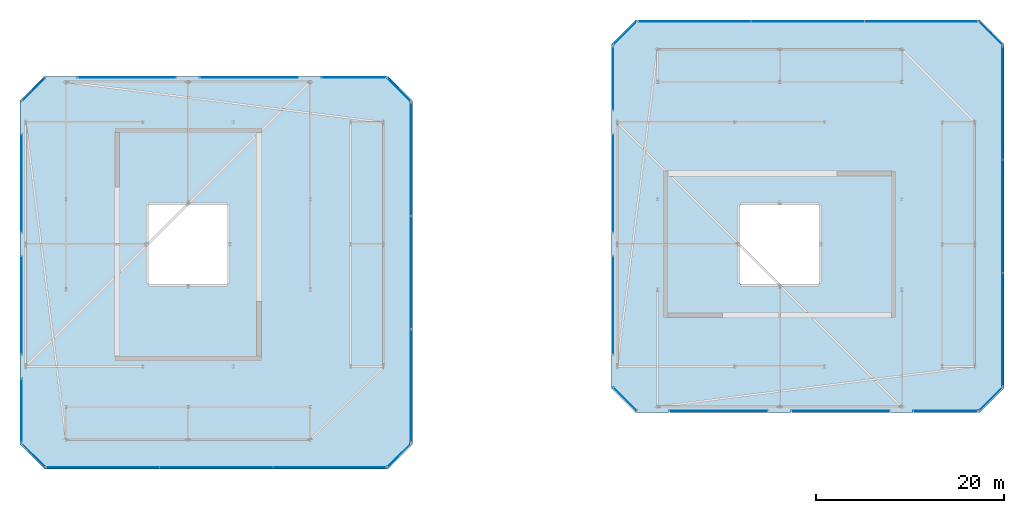
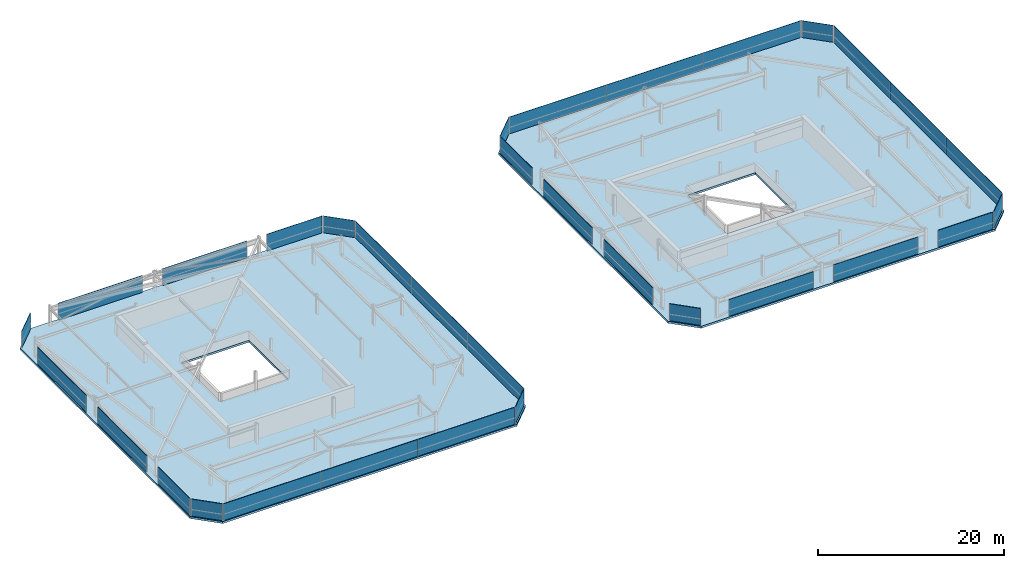
# One storey, part 37 of 42: 32 plates, 2 slabs, 24 elements without a shape of their own.
"""IFC4 building model written with IfcOpenShell, lengths in metres."""

from ifc_helpers import new_model, si_unit, direction, frame, origin, origin_2d, place, context, subcontext, project, spatial, polyline, rectangle, outline, extrude, material, layer, layer_set, type_object, element, aggregate, save


model = new_model("IFC4")

# Units and contexts
model_context = context("Model", 3, precision=1e-05, world=origin(), true_north=direction((0.0, 1.0)))
body_context = subcontext(model_context, "Body", "Model", "MODEL_VIEW")
ifc_project = project(units=[si_unit("LENGTHUNIT", "METRE"), si_unit("AREAUNIT", "SQUARE_METRE"), si_unit("VOLUMEUNIT", "CUBIC_METRE"), si_unit("PLANEANGLEUNIT", "RADIAN"), si_unit("MASSUNIT", "GRAM", prefix="KILO")], contexts=[model_context])

# Site, building, storey
site_placement = place(None, origin())
site = spatial("IfcSite", under=ifc_project, at=site_placement, CompositionType="ELEMENT")
building_placement = place(site_placement, origin())
building = spatial("IfcBuilding", under=site, at=building_placement, Name="Thornwick Lancets Civic Towers", CompositionType="ELEMENT")
storey_placement = place(building_placement, frame((0.0, 0.0, 289.5)))
storey = spatial("IfcBuildingStorey", under=building, at=storey_placement, Name="C04", CompositionType="ELEMENT", Elevation=289.5)

# Curtain wall, plates
ifc_material_1 = material(Name="Crown ring acoustic-louvre and glazing screen wall", Category="glass")
curtain_wall_type = type_object("IfcCurtainWallType", Name="CW_SYS_07", PredefinedType="NOTDEFINED", material=ifc_material_1)
curtain_wall_1_placement = place(storey_placement, origin())
curtain_wall_1 = element("IfcCurtainWall", 1, at=curtain_wall_1_placement, inside=storey, type_object=curtain_wall_type, Name="C04 Curtain Wall CW-C04-A-E0", PredefinedType="NOTDEFINED")
ifc_material_2 = material(Name="Terracotta acoustic louvre screen", Category="masonry")
ifc_layer_1 = layer(ifc_material_2, 0.050048828125, Name="Terracotta acoustic louvre screen")
ifc_layer_set_1 = layer_set([ifc_layer_1], Name="Terracotta acoustic louvre screen")
plate_type = type_object("IfcPlateType", Name="CW_PNL_LOUVRE", PredefinedType="SHEET", material=ifc_layer_set_1)
plate_1_placement = place(storey_placement, frame((16.432373046875, 3.2353515625, 0.0), z_axis=(0.0, 0.0, 1.0), x_axis=(1.0, 0.0, 0.0)))
plate_1 = element("IfcPlate", 2, at=plate_1_placement, type_object=plate_type, Name="CW-C04-A-E0 Panel 0", PredefinedType="SHEET", context=body_context, shape_type="SweptSolid", body=[
    extrude(rectangle(XDim=12.063720703125, YDim=0.050048828125, at=origin_2d()), origin(), (0.0, 0.0, 1.0), 2.219970703125),
])
plate_2_placement = place(storey_placement, frame((28.5, 3.2353515625, 0.0), z_axis=(0.0, 0.0, 1.0), x_axis=(1.0, 0.0, 0.0)))
plate_2 = element("IfcPlate", 3, at=plate_2_placement, type_object=plate_type, Name="CW-C04-A-E0 Panel 1", PredefinedType="SHEET", context=body_context, shape_type="SweptSolid", body=[
    extrude(rectangle(XDim=12.063720703125, YDim=0.050048828125, at=origin_2d()), origin(), (0.0, 0.0, 1.0), 2.219970703125),
])
plate_3_placement = place(storey_placement, frame((40.567626953125, 3.2353515625, 0.0), z_axis=(0.0, 0.0, 1.0), x_axis=(1.0, 0.0, 0.0)))
plate_3 = element("IfcPlate", 4, at=plate_3_placement, type_object=plate_type, Name="CW-C04-A-E0 Panel 2", PredefinedType="SHEET", context=body_context, shape_type="SweptSolid", body=[
    extrude(rectangle(XDim=12.063720703125, YDim=0.050048828125, at=origin_2d()), origin(), (0.0, 0.0, 1.0), 2.219970703125),
])
aggregate(curtain_wall_1, [plate_1, plate_2, plate_3])

# Curtain wall, plate
curtain_wall_2_placement = place(storey_placement, origin())
curtain_wall_2 = element("IfcCurtainWall", 5, at=curtain_wall_2_placement, inside=storey, type_object=curtain_wall_type, Name="C04 Curtain Wall CW-C04-A-E1", PredefinedType="NOTDEFINED")
plate_4_placement = place(storey_placement, frame((47.972900390625, 4.527099609375, 0.0), z_axis=(0.0, 0.0, 1.0), x_axis=(0.707106781187, 0.707106781187, 0.0)))
plate_4 = element("IfcPlate", 6, at=plate_4_placement, type_object=plate_type, Name="CW-C04-A-E1 Panel 0", PredefinedType="SHEET", context=body_context, shape_type="SweptSolid", body=[
    extrude(rectangle(XDim=3.4892578125, YDim=0.050048828125, at=origin_2d()), origin(), (0.0, 0.0, 1.0), 2.219970703125),
])
aggregate(curtain_wall_2, [plate_4])

# Curtain wall, plates
curtain_wall_3_placement = place(storey_placement, origin())
curtain_wall_3 = element("IfcCurtainWall", 7, at=curtain_wall_3_placement, inside=storey, type_object=curtain_wall_type, Name="C04 Curtain Wall CW-C04-A-E2", PredefinedType="NOTDEFINED")
plate_5_placement = place(storey_placement, frame((49.2646484375, 11.932373046875, 0.0), z_axis=(0.0, 0.0, 1.0), x_axis=(0.0, 1.0, 0.0)))
plate_5 = element("IfcPlate", 8, at=plate_5_placement, type_object=plate_type, Name="CW-C04-A-E2 Panel 0", PredefinedType="SHEET", context=body_context, shape_type="SweptSolid", body=[
    extrude(rectangle(XDim=12.063720703125, YDim=0.050048828125, at=origin_2d()), origin(), (0.0, 0.0, 1.0), 2.219970703125),
])
plate_6_placement = place(storey_placement, frame((49.2646484375, 24.0, 0.0), z_axis=(0.0, 0.0, 1.0), x_axis=(0.0, 1.0, 0.0)))
plate_6 = element("IfcPlate", 9, at=plate_6_placement, type_object=plate_type, Name="CW-C04-A-E2 Panel 1", PredefinedType="SHEET", context=body_context, shape_type="SweptSolid", body=[
    extrude(rectangle(XDim=12.063720703125, YDim=0.050048828125, at=origin_2d()), origin(), (0.0, 0.0, 1.0), 2.219970703125),
])
plate_7_placement = place(storey_placement, frame((49.2646484375, 36.067626953125, 0.0), z_axis=(0.0, 0.0, 1.0), x_axis=(0.0, 1.0, 0.0)))
plate_7 = element("IfcPlate", 10, at=plate_7_placement, type_object=plate_type, Name="CW-C04-A-E2 Panel 2", PredefinedType="SHEET", context=body_context, shape_type="SweptSolid", body=[
    extrude(rectangle(XDim=12.063720703125, YDim=0.050048828125, at=origin_2d()), origin(), (0.0, 0.0, 1.0), 2.219970703125),
])
aggregate(curtain_wall_3, [plate_5, plate_6, plate_7])

# Curtain wall, plate
curtain_wall_4_placement = place(storey_placement, origin())
curtain_wall_4 = element("IfcCurtainWall", 11, at=curtain_wall_4_placement, inside=storey, type_object=curtain_wall_type, Name="C04 Curtain Wall CW-C04-A-E3", PredefinedType="NOTDEFINED")
plate_8_placement = place(storey_placement, frame((47.972900390625, 43.472900390625, 0.0), z_axis=(0.0, 0.0, 1.0), x_axis=(-0.707106781187, 0.707106781187, 0.0)))
plate_8 = element("IfcPlate", 12, at=plate_8_placement, type_object=plate_type, Name="CW-C04-A-E3 Panel 0", PredefinedType="SHEET", context=body_context, shape_type="SweptSolid", body=[
    extrude(rectangle(XDim=3.4892578125, YDim=0.050048828125, at=origin_2d()), origin(), (0.0, 0.0, 1.0), 2.219970703125),
])
aggregate(curtain_wall_4, [plate_8])

curtain_wall_5_placement = place(storey_placement, origin())
curtain_wall_5 = element("IfcCurtainWall", 13, at=curtain_wall_5_placement, inside=storey, type_object=curtain_wall_type, Name="C04 Curtain Wall CW-C04-A-E4-S1", PredefinedType="NOTDEFINED")
plate_9_placement = place(storey_placement, frame((43.17578125, 44.7646484375, 0.0), z_axis=(0.0, 0.0, 1.0), x_axis=(-1.0, 0.0, 0.0)))
plate_9 = element("IfcPlate", 14, at=plate_9_placement, type_object=plate_type, Name="CW-C04-A-E4-S1 Panel 0", PredefinedType="SHEET", context=body_context, shape_type="SweptSolid", body=[
    extrude(rectangle(XDim=6.847412109375, YDim=0.050048828125, at=origin_2d()), origin(), (0.0, 0.0, 1.0), 2.219970703125),
])
aggregate(curtain_wall_5, [plate_9])

curtain_wall_6_placement = place(storey_placement, origin())
curtain_wall_6 = element("IfcCurtainWall", 15, at=curtain_wall_6_placement, inside=storey, type_object=curtain_wall_type, Name="C04 Curtain Wall CW-C04-A-E4-S2", PredefinedType="NOTDEFINED")
plate_10_placement = place(storey_placement, frame((32.0, 44.7646484375, 0.0), z_axis=(0.0, 0.0, 1.0), x_axis=(-1.0, 0.0, 0.0)))
plate_10 = element("IfcPlate", 16, at=plate_10_placement, type_object=plate_type, Name="CW-C04-A-E4-S2 Panel 0", PredefinedType="SHEET", context=body_context, shape_type="SweptSolid", body=[
    extrude(rectangle(XDim=10.49609375, YDim=0.050048828125, at=origin_2d()), origin(), (0.0, 0.0, 1.0), 2.219970703125),
])
aggregate(curtain_wall_6, [plate_10])

curtain_wall_7_placement = place(storey_placement, origin())
curtain_wall_7 = element("IfcCurtainWall", 17, at=curtain_wall_7_placement, inside=storey, type_object=curtain_wall_type, Name="C04 Curtain Wall CW-C04-A-E4-S3", PredefinedType="NOTDEFINED")
plate_11_placement = place(storey_placement, frame((19.0, 44.7646484375, 0.0), z_axis=(0.0, 0.0, 1.0), x_axis=(-1.0, 0.0, 0.0)))
plate_11 = element("IfcPlate", 18, at=plate_11_placement, type_object=plate_type, Name="CW-C04-A-E4-S3 Panel 0", PredefinedType="SHEET", context=body_context, shape_type="SweptSolid", body=[
    extrude(rectangle(XDim=10.49609375, YDim=0.050048828125, at=origin_2d()), origin(), (0.0, 0.0, 1.0), 2.219970703125),
])
aggregate(curtain_wall_7, [plate_11])

curtain_wall_8_placement = place(storey_placement, origin())
curtain_wall_8 = element("IfcCurtainWall", 19, at=curtain_wall_8_placement, inside=storey, type_object=curtain_wall_type, Name="C04 Curtain Wall CW-C04-A-E5", PredefinedType="NOTDEFINED")
plate_12_placement = place(storey_placement, frame((9.027099609375, 43.472900390625, 0.0), z_axis=(0.0, 0.0, 1.0), x_axis=(-0.707106781187, -0.707106781187, 0.0)))
plate_12 = element("IfcPlate", 20, at=plate_12_placement, type_object=plate_type, Name="CW-C04-A-E5 Panel 0", PredefinedType="SHEET", context=body_context, shape_type="SweptSolid", body=[
    extrude(rectangle(XDim=3.4892578125, YDim=0.050048828125, at=origin_2d()), origin(), (0.0, 0.0, 1.0), 2.219970703125),
])
aggregate(curtain_wall_8, [plate_12])

curtain_wall_9_placement = place(storey_placement, origin())
curtain_wall_9 = element("IfcCurtainWall", 21, at=curtain_wall_9_placement, inside=storey, type_object=curtain_wall_type, Name="C04 Curtain Wall CW-C04-A-E6-S1", PredefinedType="NOTDEFINED")
plate_13_placement = place(storey_placement, frame((7.7353515625, 33.5, 0.0), z_axis=(0.0, 0.0, 1.0), x_axis=(0.0, -1.0, 0.0)))
plate_13 = element("IfcPlate", 22, at=plate_13_placement, type_object=plate_type, Name="CW-C04-A-E6-S1 Panel 0", PredefinedType="SHEET", context=body_context, shape_type="SweptSolid", body=[
    extrude(rectangle(XDim=10.49609375, YDim=0.050048828125, at=origin_2d()), origin(), (0.0, 0.0, 1.0), 2.219970703125),
])
aggregate(curtain_wall_9, [plate_13])

curtain_wall_10_placement = place(storey_placement, origin())
curtain_wall_10 = element("IfcCurtainWall", 23, at=curtain_wall_10_placement, inside=storey, type_object=curtain_wall_type, Name="C04 Curtain Wall CW-C04-A-E6-S2", PredefinedType="NOTDEFINED")
plate_14_placement = place(storey_placement, frame((7.7353515625, 20.5, 0.0), z_axis=(0.0, 0.0, 1.0), x_axis=(0.0, -1.0, 0.0)))
plate_14 = element("IfcPlate", 24, at=plate_14_placement, type_object=plate_type, Name="CW-C04-A-E6-S2 Panel 0", PredefinedType="SHEET", context=body_context, shape_type="SweptSolid", body=[
    extrude(rectangle(XDim=10.49609375, YDim=0.050048828125, at=origin_2d()), origin(), (0.0, 0.0, 1.0), 2.219970703125),
])
aggregate(curtain_wall_10, [plate_14])

curtain_wall_11_placement = place(storey_placement, origin())
curtain_wall_11 = element("IfcCurtainWall", 25, at=curtain_wall_11_placement, inside=storey, type_object=curtain_wall_type, Name="C04 Curtain Wall CW-C04-A-E6-S3", PredefinedType="NOTDEFINED")
plate_15_placement = place(storey_placement, frame((7.7353515625, 9.32421875, 0.0), z_axis=(0.0, 0.0, 1.0), x_axis=(0.0, -1.0, 0.0)))
plate_15 = element("IfcPlate", 26, at=plate_15_placement, type_object=plate_type, Name="CW-C04-A-E6-S3 Panel 0", PredefinedType="SHEET", context=body_context, shape_type="SweptSolid", body=[
    extrude(rectangle(XDim=6.847412109375, YDim=0.050048828125, at=origin_2d()), origin(), (0.0, 0.0, 1.0), 2.219970703125),
])
aggregate(curtain_wall_11, [plate_15])

curtain_wall_12_placement = place(storey_placement, origin())
curtain_wall_12 = element("IfcCurtainWall", 27, at=curtain_wall_12_placement, inside=storey, type_object=curtain_wall_type, Name="C04 Curtain Wall CW-C04-A-E7", PredefinedType="NOTDEFINED")
plate_16_placement = place(storey_placement, frame((9.027099609375, 4.527099609375, 0.0), z_axis=(0.0, 0.0, 1.0), x_axis=(0.707106781187, -0.707106781187, 0.0)))
plate_16 = element("IfcPlate", 28, at=plate_16_placement, type_object=plate_type, Name="CW-C04-A-E7 Panel 0", PredefinedType="SHEET", context=body_context, shape_type="SweptSolid", body=[
    extrude(rectangle(XDim=3.4892578125, YDim=0.050048828125, at=origin_2d()), origin(), (0.0, 0.0, 1.0), 2.219970703125),
])
aggregate(curtain_wall_12, [plate_16])

curtain_wall_13_placement = place(storey_placement, origin())
curtain_wall_13 = element("IfcCurtainWall", 29, at=curtain_wall_13_placement, inside=storey, type_object=curtain_wall_type, Name="C04 Curtain Wall CW-C04-B-E0-S1", PredefinedType="NOTDEFINED")
plate_17_placement = place(storey_placement, frame((82.0, 9.2353515625, 0.0), z_axis=(0.0, 0.0, 1.0), x_axis=(1.0, 0.0, 0.0)))
plate_17 = element("IfcPlate", 30, at=plate_17_placement, type_object=plate_type, Name="CW-C04-B-E0-S1 Panel 0", PredefinedType="SHEET", context=body_context, shape_type="SweptSolid", body=[
    extrude(rectangle(XDim=10.49609375, YDim=0.050048828125, at=origin_2d()), origin(), (0.0, 0.0, 1.0), 2.219970703125),
])
aggregate(curtain_wall_13, [plate_17])

curtain_wall_14_placement = place(storey_placement, origin())
curtain_wall_14 = element("IfcCurtainWall", 31, at=curtain_wall_14_placement, inside=storey, type_object=curtain_wall_type, Name="C04 Curtain Wall CW-C04-B-E0-S2", PredefinedType="NOTDEFINED")
plate_18_placement = place(storey_placement, frame((95.0, 9.2353515625, 0.0), z_axis=(0.0, 0.0, 1.0), x_axis=(1.0, 0.0, 0.0)))
plate_18 = element("IfcPlate", 32, at=plate_18_placement, type_object=plate_type, Name="CW-C04-B-E0-S2 Panel 0", PredefinedType="SHEET", context=body_context, shape_type="SweptSolid", body=[
    extrude(rectangle(XDim=10.49609375, YDim=0.050048828125, at=origin_2d()), origin(), (0.0, 0.0, 1.0), 2.219970703125),
])
aggregate(curtain_wall_14, [plate_18])

curtain_wall_15_placement = place(storey_placement, origin())
curtain_wall_15 = element("IfcCurtainWall", 33, at=curtain_wall_15_placement, inside=storey, type_object=curtain_wall_type, Name="C04 Curtain Wall CW-C04-B-E0-S3", PredefinedType="NOTDEFINED")
plate_19_placement = place(storey_placement, frame((106.17578125, 9.2353515625, 0.0), z_axis=(0.0, 0.0, 1.0), x_axis=(1.0, 0.0, 0.0)))
plate_19 = element("IfcPlate", 34, at=plate_19_placement, type_object=plate_type, Name="CW-C04-B-E0-S3 Panel 0", PredefinedType="SHEET", context=body_context, shape_type="SweptSolid", body=[
    extrude(rectangle(XDim=6.847412109375, YDim=0.050048828125, at=origin_2d()), origin(), (0.0, 0.0, 1.0), 2.219970703125),
])
aggregate(curtain_wall_15, [plate_19])

curtain_wall_16_placement = place(storey_placement, origin())
curtain_wall_16 = element("IfcCurtainWall", 35, at=curtain_wall_16_placement, inside=storey, type_object=curtain_wall_type, Name="C04 Curtain Wall CW-C04-B-E1", PredefinedType="NOTDEFINED")
plate_20_placement = place(storey_placement, frame((110.972900390625, 10.527099609375, 0.0), z_axis=(0.0, 0.0, 1.0), x_axis=(0.707106781187, 0.707106781187, 0.0)))
plate_20 = element("IfcPlate", 36, at=plate_20_placement, type_object=plate_type, Name="CW-C04-B-E1 Panel 0", PredefinedType="SHEET", context=body_context, shape_type="SweptSolid", body=[
    extrude(rectangle(XDim=3.4892578125, YDim=0.050048828125, at=origin_2d()), origin(), (0.0, 0.0, 1.0), 2.219970703125),
])
aggregate(curtain_wall_16, [plate_20])

# Curtain wall, plates
curtain_wall_17_placement = place(storey_placement, origin())
curtain_wall_17 = element("IfcCurtainWall", 37, at=curtain_wall_17_placement, inside=storey, type_object=curtain_wall_type, Name="C04 Curtain Wall CW-C04-B-E2", PredefinedType="NOTDEFINED")
plate_21_placement = place(storey_placement, frame((112.2646484375, 17.932373046875, 0.0), z_axis=(0.0, 0.0, 1.0), x_axis=(0.0, 1.0, 0.0)))
plate_21 = element("IfcPlate", 38, at=plate_21_placement, type_object=plate_type, Name="CW-C04-B-E2 Panel 0", PredefinedType="SHEET", context=body_context, shape_type="SweptSolid", body=[
    extrude(rectangle(XDim=12.063720703125, YDim=0.050048828125, at=origin_2d()), origin(), (0.0, 0.0, 1.0), 2.219970703125),
])
plate_22_placement = place(storey_placement, frame((112.2646484375, 30.0, 0.0), z_axis=(0.0, 0.0, 1.0), x_axis=(0.0, 1.0, 0.0)))
plate_22 = element("IfcPlate", 39, at=plate_22_placement, type_object=plate_type, Name="CW-C04-B-E2 Panel 1", PredefinedType="SHEET", context=body_context, shape_type="SweptSolid", body=[
    extrude(rectangle(XDim=12.063720703125, YDim=0.050048828125, at=origin_2d()), origin(), (0.0, 0.0, 1.0), 2.219970703125),
])
plate_23_placement = place(storey_placement, frame((112.2646484375, 42.067626953125, 0.0), z_axis=(0.0, 0.0, 1.0), x_axis=(0.0, 1.0, 0.0)))
plate_23 = element("IfcPlate", 40, at=plate_23_placement, type_object=plate_type, Name="CW-C04-B-E2 Panel 2", PredefinedType="SHEET", context=body_context, shape_type="SweptSolid", body=[
    extrude(rectangle(XDim=12.063720703125, YDim=0.050048828125, at=origin_2d()), origin(), (0.0, 0.0, 1.0), 2.219970703125),
])
aggregate(curtain_wall_17, [plate_21, plate_22, plate_23])

# Curtain wall, plate
curtain_wall_18_placement = place(storey_placement, origin())
curtain_wall_18 = element("IfcCurtainWall", 41, at=curtain_wall_18_placement, inside=storey, type_object=curtain_wall_type, Name="C04 Curtain Wall CW-C04-B-E3", PredefinedType="NOTDEFINED")
plate_24_placement = place(storey_placement, frame((110.972900390625, 49.472900390625, 0.0), z_axis=(0.0, 0.0, 1.0), x_axis=(-0.707106781187, 0.707106781187, 0.0)))
plate_24 = element("IfcPlate", 42, at=plate_24_placement, type_object=plate_type, Name="CW-C04-B-E3 Panel 0", PredefinedType="SHEET", context=body_context, shape_type="SweptSolid", body=[
    extrude(rectangle(XDim=3.4892578125, YDim=0.050048828125, at=origin_2d()), origin(), (0.0, 0.0, 1.0), 2.219970703125),
])
aggregate(curtain_wall_18, [plate_24])

# Curtain wall, plates
curtain_wall_19_placement = place(storey_placement, origin())
curtain_wall_19 = element("IfcCurtainWall", 43, at=curtain_wall_19_placement, inside=storey, type_object=curtain_wall_type, Name="C04 Curtain Wall CW-C04-B-E4", PredefinedType="NOTDEFINED")
plate_25_placement = place(storey_placement, frame((103.567626953125, 50.7646484375, 0.0), z_axis=(0.0, 0.0, 1.0), x_axis=(-1.0, 0.0, 0.0)))
plate_25 = element("IfcPlate", 44, at=plate_25_placement, type_object=plate_type, Name="CW-C04-B-E4 Panel 0", PredefinedType="SHEET", context=body_context, shape_type="SweptSolid", body=[
    extrude(rectangle(XDim=12.063720703125, YDim=0.050048828125, at=origin_2d()), origin(), (0.0, 0.0, 1.0), 2.219970703125),
])
plate_26_placement = place(storey_placement, frame((91.5, 50.7646484375, 0.0), z_axis=(0.0, 0.0, 1.0), x_axis=(-1.0, 0.0, 0.0)))
plate_26 = element("IfcPlate", 45, at=plate_26_placement, type_object=plate_type, Name="CW-C04-B-E4 Panel 1", PredefinedType="SHEET", context=body_context, shape_type="SweptSolid", body=[
    extrude(rectangle(XDim=12.063720703125, YDim=0.050048828125, at=origin_2d()), origin(), (0.0, 0.0, 1.0), 2.219970703125),
])
plate_27_placement = place(storey_placement, frame((79.432373046875, 50.7646484375, 0.0), z_axis=(0.0, 0.0, 1.0), x_axis=(-1.0, 0.0, 0.0)))
plate_27 = element("IfcPlate", 46, at=plate_27_placement, type_object=plate_type, Name="CW-C04-B-E4 Panel 2", PredefinedType="SHEET", context=body_context, shape_type="SweptSolid", body=[
    extrude(rectangle(XDim=12.063720703125, YDim=0.050048828125, at=origin_2d()), origin(), (0.0, 0.0, 1.0), 2.219970703125),
])
aggregate(curtain_wall_19, [plate_25, plate_26, plate_27])

# Curtain wall, plate
curtain_wall_20_placement = place(storey_placement, origin())
curtain_wall_20 = element("IfcCurtainWall", 47, at=curtain_wall_20_placement, inside=storey, type_object=curtain_wall_type, Name="C04 Curtain Wall CW-C04-B-E5", PredefinedType="NOTDEFINED")
plate_28_placement = place(storey_placement, frame((72.027099609375, 49.472900390625, 0.0), z_axis=(0.0, 0.0, 1.0), x_axis=(-0.707106781187, -0.707106781187, 0.0)))
plate_28 = element("IfcPlate", 48, at=plate_28_placement, type_object=plate_type, Name="CW-C04-B-E5 Panel 0", PredefinedType="SHEET", context=body_context, shape_type="SweptSolid", body=[
    extrude(rectangle(XDim=3.4892578125, YDim=0.050048828125, at=origin_2d()), origin(), (0.0, 0.0, 1.0), 2.219970703125),
])
aggregate(curtain_wall_20, [plate_28])

curtain_wall_21_placement = place(storey_placement, origin())
curtain_wall_21 = element("IfcCurtainWall", 49, at=curtain_wall_21_placement, inside=storey, type_object=curtain_wall_type, Name="C04 Curtain Wall CW-C04-B-E6-S1", PredefinedType="NOTDEFINED")
plate_29_placement = place(storey_placement, frame((70.7353515625, 44.67578125, 0.0), z_axis=(0.0, 0.0, 1.0), x_axis=(0.0, -1.0, 0.0)))
plate_29 = element("IfcPlate", 50, at=plate_29_placement, type_object=plate_type, Name="CW-C04-B-E6-S1 Panel 0", PredefinedType="SHEET", context=body_context, shape_type="SweptSolid", body=[
    extrude(rectangle(XDim=6.847412109375, YDim=0.050048828125, at=origin_2d()), origin(), (0.0, 0.0, 1.0), 2.219970703125),
])
aggregate(curtain_wall_21, [plate_29])

curtain_wall_22_placement = place(storey_placement, origin())
curtain_wall_22 = element("IfcCurtainWall", 51, at=curtain_wall_22_placement, inside=storey, type_object=curtain_wall_type, Name="C04 Curtain Wall CW-C04-B-E6-S2", PredefinedType="NOTDEFINED")
plate_30_placement = place(storey_placement, frame((70.7353515625, 33.5, 0.0), z_axis=(0.0, 0.0, 1.0), x_axis=(0.0, -1.0, 0.0)))
plate_30 = element("IfcPlate", 52, at=plate_30_placement, type_object=plate_type, Name="CW-C04-B-E6-S2 Panel 0", PredefinedType="SHEET", context=body_context, shape_type="SweptSolid", body=[
    extrude(rectangle(XDim=10.49609375, YDim=0.050048828125, at=origin_2d()), origin(), (0.0, 0.0, 1.0), 2.219970703125),
])
aggregate(curtain_wall_22, [plate_30])

curtain_wall_23_placement = place(storey_placement, origin())
curtain_wall_23 = element("IfcCurtainWall", 53, at=curtain_wall_23_placement, inside=storey, type_object=curtain_wall_type, Name="C04 Curtain Wall CW-C04-B-E6-S3", PredefinedType="NOTDEFINED")
plate_31_placement = place(storey_placement, frame((70.7353515625, 20.5, 0.0), z_axis=(0.0, 0.0, 1.0), x_axis=(0.0, -1.0, 0.0)))
plate_31 = element("IfcPlate", 54, at=plate_31_placement, type_object=plate_type, Name="CW-C04-B-E6-S3 Panel 0", PredefinedType="SHEET", context=body_context, shape_type="SweptSolid", body=[
    extrude(rectangle(XDim=10.49609375, YDim=0.050048828125, at=origin_2d()), origin(), (0.0, 0.0, 1.0), 2.219970703125),
])
aggregate(curtain_wall_23, [plate_31])

curtain_wall_24_placement = place(storey_placement, origin())
curtain_wall_24 = element("IfcCurtainWall", 55, at=curtain_wall_24_placement, inside=storey, type_object=curtain_wall_type, Name="C04 Curtain Wall CW-C04-B-E7", PredefinedType="NOTDEFINED")
plate_32_placement = place(storey_placement, frame((72.027099609375, 10.527099609375, 0.0), z_axis=(0.0, 0.0, 1.0), x_axis=(0.707106781187, -0.707106781187, 0.0)))
plate_32 = element("IfcPlate", 56, at=plate_32_placement, type_object=plate_type, Name="CW-C04-B-E7 Panel 0", PredefinedType="SHEET", context=body_context, shape_type="SweptSolid", body=[
    extrude(rectangle(XDim=3.4892578125, YDim=0.050048828125, at=origin_2d()), origin(), (0.0, 0.0, 1.0), 2.219970703125),
])
aggregate(curtain_wall_24, [plate_32])

# Slabs
ifc_material_3 = material(Name="Concrete C40/50", Category="concrete")
ifc_layer_2 = layer(ifc_material_3, 0.260009765625, Name="Concrete C40/50")
ifc_layer_set_2 = layer_set([ifc_layer_2], Name="Concrete C40/50")
slab_type = type_object("IfcSlabType", Name="SLAB_ROOF_260", PredefinedType="ROOF", material=ifc_layer_set_2)
slab_1_placement = place(storey_placement, frame((0.0, 0.0, -0.260009765625)))
element("IfcSlab", 57, at=slab_1_placement, inside=storey, type_object=slab_type, Name="C04 Tower A Crown Structural Ring Deck", PredefinedType="ROOF", context=body_context, shape_type="SweptSolid", body=[
    extrude(outline(polyline([(10.199951171875, 3.10009765625), (46.800048828125, 3.10009765625), (49.39990234375, 5.699951171875), (49.39990234375, 42.300048828125), (46.800048828125, 44.89990234375), (10.199951171875, 44.89990234375), (7.60009765625, 42.300048828125), (7.60009765625, 5.699951171875), (10.199951171875, 3.10009765625)]), holes=[polyline([(21.300048828125, 22.800048828125), (29.699951171875, 22.800048828125), (29.699951171875, 31.199951171875), (21.300048828125, 31.199951171875), (21.300048828125, 22.800048828125)])]), origin(), (0.0, 0.0, 1.0), 0.260009765625),
])
slab_2_placement = place(storey_placement, frame((0.0, 0.0, -0.260009765625)))
element("IfcSlab", 58, at=slab_2_placement, inside=storey, type_object=slab_type, Name="C04 Tower B Crown Structural Ring Deck", PredefinedType="ROOF", context=body_context, shape_type="SweptSolid", body=[
    extrude(outline(polyline([(73.199951171875, 9.10009765625), (109.800048828125, 9.10009765625), (112.39990234375, 11.699951171875), (112.39990234375, 48.300048828125), (109.800048828125, 50.89990234375), (73.199951171875, 50.89990234375), (70.60009765625, 48.300048828125), (70.60009765625, 11.699951171875), (73.199951171875, 9.10009765625)]), holes=[polyline([(84.300048828125, 22.800048828125), (92.699951171875, 22.800048828125), (92.699951171875, 31.199951171875), (84.300048828125, 31.199951171875), (84.300048828125, 22.800048828125)])]), origin(), (0.0, 0.0, 1.0), 0.260009765625),
])

save(model, "model.ifc")
